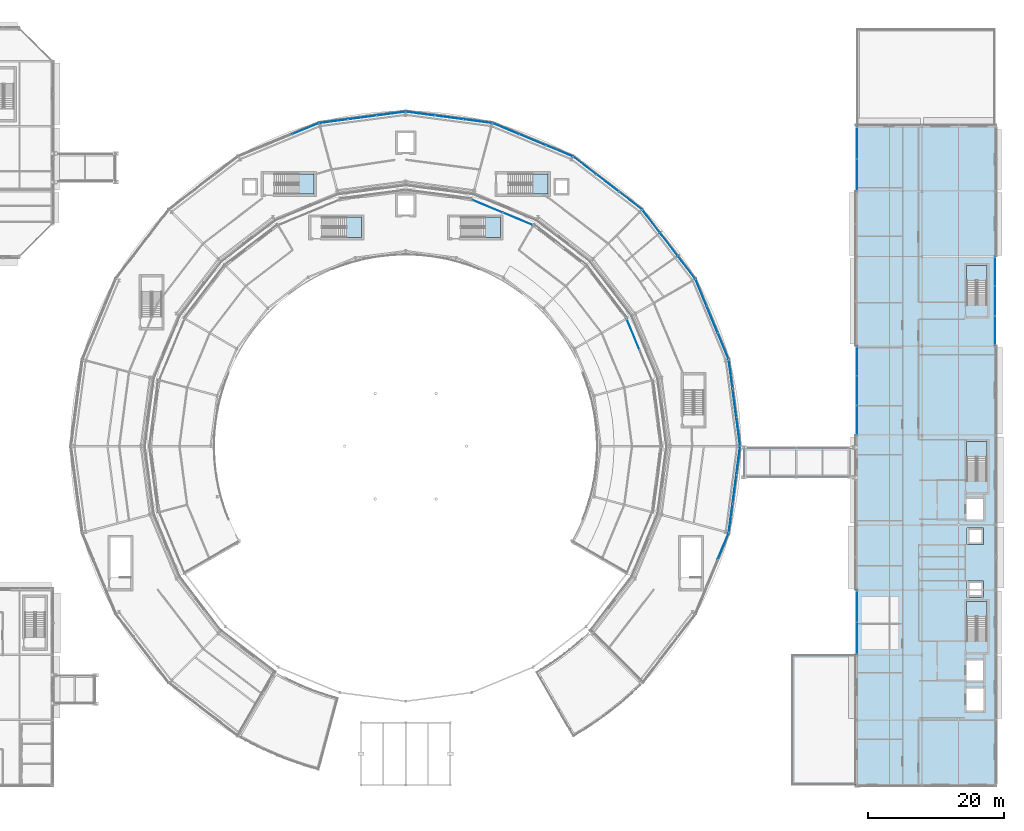
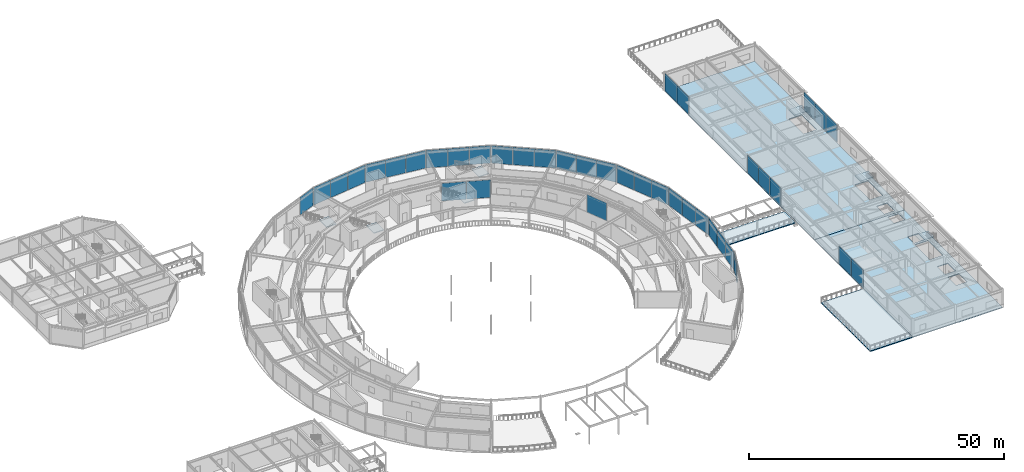
# One storey, part 112 of 157: 39 plates, 11 slabs, 23 elements without a shape of their own.
"""IFC4 building model written with IfcOpenShell, lengths in metres."""

import ifcopenshell
import ifcopenshell.guid

model = None  # the IFC model being written
_history = None  # IfcOwnerHistory: only IFC2X3 demands one
_inside = {}  # id of a spatial element -> (the spatial element, [elements in it])
_under = {}  # id of a project, library or spatial element -> (it, [spatial elements below it])
_declared = {}  # id of a project -> (the project, [libraries it declares])
_typed = {}  # id of a type object -> (the type object, [elements of that type])
_made_of = {}  # id of a material, layer set ... -> (it, [elements and type objects made of it])


def new_model(schema):
    """Start an empty IFC model of exactly this schema.

    Asked for "IFC4X3", IfcOpenShell would pick the latest addendum, in which some entities
    have other attributes; the version numbers below select the first issue.
    IFC2X3 requires an IfcOwnerHistory on every rooted entity: one is made here for all.
    """
    global model, _history
    if schema == "IFC4X3":
        model = ifcopenshell.file(schema_version=(4, 3, 0, 0))
    else:
        model = ifcopenshell.file(schema=schema)
    _inside.clear()
    _under.clear()
    _declared.clear()
    _typed.clear()
    _made_of.clear()
    _history = None
    if model.schema == "IFC2X3":
        org = make("IfcOrganization", Name="unknown")
        user = make(
            "IfcPersonAndOrganization",
            ThePerson=make("IfcPerson", FamilyName="unknown"),
            TheOrganization=org,
        )
        app = make(
            "IfcApplication",
            ApplicationDeveloper=org,
            Version="unknown",
            ApplicationFullName="unknown",
            ApplicationIdentifier="unknown",
        )
        _history = make(
            "IfcOwnerHistory",
            OwningUser=user,
            OwningApplication=app,
            ChangeAction="ADDED",
            CreationDate=0,
        )
    return model


def make(cls, **values):
    """One entity of the class cls with the attributes given. An attribute that is None is left unset."""
    return model.create_entity(
        cls, **{name: value for name, value in values.items() if value is not None}
    )


def rooted(cls, **values):
    """An entity with a GlobalId (a new one), such as an element, a storey or a relation."""
    return make(cls, GlobalId=ifcopenshell.guid.new(), OwnerHistory=_history, **values)


def si_unit(unit_type, name, prefix=None):
    """IfcSIUnit, for example si_unit("LENGTHUNIT", "METRE", prefix="MILLI")."""
    return make("IfcSIUnit", UnitType=unit_type, Prefix=prefix, Name=name)


def assignment(units):
    """IfcUnitAssignment: the units of a project."""
    return None if units is None else make("IfcUnitAssignment", Units=units)


def point(xyz):
    """IfcCartesianPoint."""
    return None if xyz is None else make("IfcCartesianPoint", Coordinates=xyz)


def direction(xyz):
    """IfcDirection."""
    return None if xyz is None else make("IfcDirection", DirectionRatios=xyz)


def frame(location, z_axis=None, x_axis=None):
    """IfcAxis2Placement3D, a coordinate frame: its origin and axes. An axis left out is left unset."""
    return make(
        "IfcAxis2Placement3D",
        Location=point(location),
        Axis=direction(z_axis),
        RefDirection=direction(x_axis),
    )


def frame_2d(location, x_axis=None):
    """IfcAxis2Placement2D, a coordinate frame in the plane: its origin and x axis."""
    return make(
        "IfcAxis2Placement2D", Location=point(location), RefDirection=direction(x_axis)
    )


def origin():
    """The frame at (0, 0, 0) with its axes left unset."""
    return frame((0.0, 0.0, 0.0))


def origin_2d():
    """The frame at (0, 0) in the plane with its x axis left unset."""
    return frame_2d((0.0, 0.0))


def place(relative_to, where):
    """IfcLocalPlacement: puts the frame where relative to a parent placement (None: the world)."""
    return make(
        "IfcLocalPlacement", PlacementRelTo=relative_to, RelativePlacement=where
    )


def context(
    kind, dimensions, precision=None, world=None, true_north=None, identifier=None
):
    """IfcGeometricRepresentationContext, for example the 3D "Model" context."""
    return make(
        "IfcGeometricRepresentationContext",
        ContextIdentifier=identifier,
        ContextType=kind,
        CoordinateSpaceDimension=dimensions,
        Precision=precision,
        WorldCoordinateSystem=world,
        TrueNorth=true_north,
    )


def subcontext(parent, identifier, kind, view, scale=None):
    """IfcGeometricRepresentationSubContext, for example "Body" below "Model"."""
    return make(
        "IfcGeometricRepresentationSubContext",
        ContextIdentifier=identifier,
        ContextType=kind,
        ParentContext=parent,
        TargetScale=scale,
        TargetView=view,
    )


def project(units=None, contexts=None):
    """IfcProject with its units and contexts."""
    return rooted(
        "IfcProject",
        Name="project",
        RepresentationContexts=contexts,
        UnitsInContext=assignment(units),
    )


def spatial(cls, under=None, at=None, **own):
    """A site, building, storey or space (cls), placed at a placement, below another one or the project."""
    s = rooted(cls, ObjectPlacement=at, **own)
    if under is not None:
        _under.setdefault(under.id(), (under, []))[1].append(s)
    return s


def polyline(points):
    """IfcPolyline through the points."""
    return make("IfcPolyline", Points=[point(p) for p in points])


def profile(cls, at=None, kind="AREA", **sizes):
    """A parametric profile (cls). Its sizes go by their IFC names, for example OverallWidth=200.0."""
    return make(cls, ProfileType=kind, Position=at, **sizes)


def rectangle(**sizes):
    """IfcRectangleProfileDef."""
    return profile("IfcRectangleProfileDef", **sizes)


def outline(outer, holes=None, kind="AREA"):
    """IfcArbitraryClosedProfileDef: a profile drawn as a closed curve; with holes, ...WithVoids."""
    if holes is None:
        return make("IfcArbitraryClosedProfileDef", ProfileType=kind, OuterCurve=outer)
    return make(
        "IfcArbitraryProfileDefWithVoids",
        ProfileType=kind,
        OuterCurve=outer,
        InnerCurves=holes,
    )


def extrude(swept, where, along, depth):
    """IfcExtrudedAreaSolid: the profile swept, set in the frame where, extruded along a direction by depth."""
    return make(
        "IfcExtrudedAreaSolid",
        SweptArea=swept,
        Position=where,
        ExtrudedDirection=direction(along),
        Depth=depth,
    )


def shape(context_of_items, identifier, shape_type, items):
    """IfcShapeRepresentation: the items that make up one representation, for example the "Body"."""
    return make(
        "IfcShapeRepresentation",
        ContextOfItems=context_of_items,
        RepresentationIdentifier=identifier,
        RepresentationType=shape_type,
        Items=items,
    )


def material(Name=None, Category=None):
    """IfcMaterial."""
    return make("IfcMaterial", Name=Name, Category=Category)


def layer(
    of_material, thickness, ventilated=None, Name=None, Category=None, Priority=None
):
    """IfcMaterialLayer: one layer of a wall or slab, of a material (None: an air gap)."""
    return make(
        "IfcMaterialLayer",
        Material=of_material,
        LayerThickness=thickness,
        IsVentilated=ventilated,
        Name=Name,
        Category=Category,
        Priority=Priority,
    )


def layer_set(layers, Name=None):
    """IfcMaterialLayerSet."""
    return make("IfcMaterialLayerSet", MaterialLayers=layers, LayerSetName=Name)


def made_of(thing, what):
    """Note that an element or type object is made of a material, layer set ...; save() writes the relation."""
    if what is not None:
        _made_of.setdefault(what.id(), (what, []))[1].append(thing)
    return thing


def type_object(cls, material=None, **own):
    """A type object (cls), such as IfcWallType, which elements share."""
    return made_of(rooted(cls, **own), material)


def element(
    cls,
    number,
    at=None,
    inside=None,
    cuts=None,
    type_object=None,
    material=None,
    context=None,
    identifier="Body",
    shape_type=None,
    held_by="IfcProductDefinitionShape",
    body=None,
    shapes=None,
    **own,
):
    """One element of the class cls, such as IfcWall. Its Tag is "e" and its number.

    at: its placement. inside: the storey or other place that contains it. cuts: it is an
    opening in that element (IfcRelVoidsElement). A single representation is given by context,
    identifier, shape_type and body (its items); several are given by shapes. held_by: the class
    of the entity that holds the representations. save() writes the other relations.
    """
    e = rooted(cls, Tag="e%d" % number, ObjectPlacement=at, **own)
    if body is not None:
        shapes = [shape(context, identifier, shape_type, body)]
    if shapes is not None:
        e.Representation = make(held_by, Representations=shapes)
    if inside is not None:
        _inside.setdefault(inside.id(), (inside, []))[1].append(e)
    if cuts is not None:
        rooted(
            "IfcRelVoidsElement", RelatingBuildingElement=cuts, RelatedOpeningElement=e
        )
    if type_object is not None:
        _typed.setdefault(type_object.id(), (type_object, []))[1].append(e)
    return made_of(e, material)


def aggregate(whole, parts):
    """IfcRelAggregates: a whole, such as a stair, and the parts it consists of."""
    return rooted("IfcRelAggregates", RelatingObject=whole, RelatedObjects=parts)


def save(model, path):
    """Write the relations noted so far, then the file.

    IfcRelAggregates (storeys below a building ...), IfcRelContainedInSpatialStructure (elements
    in a storey), IfcRelDefinesByType, IfcRelAssociatesMaterial and IfcRelDeclares: one each for
    every whole, place, type object, material and project.
    """
    for whole, parts in _under.values():
        aggregate(whole, parts)
    for where, things in _inside.values():
        rooted(
            "IfcRelContainedInSpatialStructure",
            RelatedElements=things,
            RelatingStructure=where,
        )
    for kind, things in _typed.values():
        rooted("IfcRelDefinesByType", RelatedObjects=things, RelatingType=kind)
    for what, things in _made_of.values():
        rooted("IfcRelAssociatesMaterial", RelatedObjects=things, RelatingMaterial=what)
    for by, libraries in _declared.values():
        rooted("IfcRelDeclares", RelatingContext=by, RelatedDefinitions=libraries)
    model.write(path)


model = new_model("IFC4")

# Units and contexts
model_context = context("Model", 3, precision=1e-05, world=origin(), true_north=direction((0.0, 1.0)))
body_context = subcontext(model_context, "Body", "Model", "MODEL_VIEW")
ifc_project = project(units=[si_unit("LENGTHUNIT", "METRE"), si_unit("AREAUNIT", "SQUARE_METRE"), si_unit("VOLUMEUNIT", "CUBIC_METRE"), si_unit("PLANEANGLEUNIT", "RADIAN"), si_unit("MASSUNIT", "GRAM", prefix="KILO")], contexts=[model_context])

# Site, building, storey
site_placement = place(None, origin())
site = spatial("IfcSite", under=ifc_project, at=site_placement, CompositionType="ELEMENT")
building_placement = place(site_placement, origin())
building = spatial("IfcBuilding", under=site, at=building_placement, Name="Almandine Court Research Institute", CompositionType="ELEMENT")
storey_placement = place(building_placement, frame((0.0, 0.0, 5.25)))
storey = spatial("IfcBuildingStorey", under=building, at=storey_placement, Name="L01", CompositionType="ELEMENT", Elevation=5.25)

# Curtain wall, plates
ifc_material_1 = material(Name="Unitised Curtain Wall Framing and Solar Glazing", Category="glass")
curtain_wall_type_1 = type_object("IfcCurtainWallType", Name="CW-CWG-20", PredefinedType="USERDEFINED", material=ifc_material_1)
curtain_wall_1_placement = place(storey_placement, origin())
curtain_wall_1 = element("IfcCurtainWall", 1, at=curtain_wall_1_placement, inside=storey, type_object=curtain_wall_type_1, Name="L01 Stacked-Ring Drum Outer Unitised Glazing 04", ObjectType="UNITISED GLAZING", PredefinedType="USERDEFINED")
ifc_material_2 = material(Name="Double-Glazed Low-E Argon Insulated Glass", Category="glass")
ifc_layer_1 = layer(ifc_material_2, 0.028076171875)
ifc_layer_set_1 = layer_set([ifc_layer_1], Name="Double-Glazed Low-E Argon Insulated Glass")
plate_type_1 = type_object("IfcPlateType", Name="CWPnl-GLZ-28", PredefinedType="CURTAIN_PANEL", material=ifc_layer_set_1)
plate_1_placement = place(storey_placement, frame((101.77587890625, 102.849853515625, 0.06005859375), z_axis=(0.0, 0.0, 1.0), x_axis=(0.923888124321, -0.382662689242, 0.0)))
plate_1 = element("IfcPlate", 2, at=plate_1_placement, type_object=plate_type_1, Name="CWG-20 panel 1.1", PredefinedType="CURTAIN_PANEL", context=body_context, shape_type="SweptSolid", body=[
    extrude(rectangle(XDim=4.20263671875, YDim=0.028076171875, at=origin_2d()), origin(), (0.0, 0.0, 1.0), 4.25),
])
plate_2_placement = place(storey_placement, frame((105.72802734375, 101.212890625, 0.06005859375), z_axis=(0.0, 0.0, 1.0), x_axis=(0.923888124321, -0.382662689242, 0.0)))
plate_2 = element("IfcPlate", 3, at=plate_2_placement, type_object=plate_type_1, Name="CWG-20 panel 2.1", PredefinedType="CURTAIN_PANEL", context=body_context, shape_type="SweptSolid", body=[
    extrude(rectangle(XDim=4.232666015625, YDim=0.028076171875, at=origin_2d()), origin(), (0.0, 0.0, 1.0), 4.25),
])
plate_3_placement = place(storey_placement, frame((109.68017578125, 99.576171875, 0.06005859375), z_axis=(0.0, 0.0, 1.0), x_axis=(0.923888124321, -0.382662689242, 0.0)))
plate_3 = element("IfcPlate", 4, at=plate_3_placement, type_object=plate_type_1, Name="CWG-20 panel 3.1", PredefinedType="CURTAIN_PANEL", context=body_context, shape_type="SweptSolid", body=[
    extrude(rectangle(XDim=4.20263671875, YDim=0.028076171875, at=origin_2d()), origin(), (0.0, 0.0, 1.0), 4.25),
])
aggregate(curtain_wall_1, [plate_1, plate_2, plate_3])

curtain_wall_2_placement = place(storey_placement, origin())
curtain_wall_2 = element("IfcCurtainWall", 5, at=curtain_wall_2_placement, inside=storey, type_object=curtain_wall_type_1, Name="L01 Stacked-Ring Drum Outer Unitised Glazing 05", ObjectType="UNITISED GLAZING", PredefinedType="USERDEFINED")
plate_4_placement = place(storey_placement, frame((89.146728515625, 105.077880859375, 0.06005859375), z_axis=(0.0, 0.0, 1.0), x_axis=(0.991442926098, -0.130540891259, 0.0)))
plate_4 = element("IfcPlate", 6, at=plate_4_placement, type_object=plate_type_1, Name="CWG-20 panel 1.1", PredefinedType="CURTAIN_PANEL", context=body_context, shape_type="SweptSolid", body=[
    extrude(rectangle(XDim=4.202392578125, YDim=0.028076171875, at=origin_2d()), origin(), (0.0, 0.0, 1.0), 4.25),
])
plate_5_placement = place(storey_placement, frame((93.387451171875, 104.51953125, 0.06005859375), z_axis=(0.0, 0.0, 1.0), x_axis=(0.991442926098, -0.130540891259, 0.0)))
plate_5 = element("IfcPlate", 7, at=plate_5_placement, type_object=plate_type_1, Name="CWG-20 panel 2.1", PredefinedType="CURTAIN_PANEL", context=body_context, shape_type="SweptSolid", body=[
    extrude(rectangle(XDim=4.232421875, YDim=0.028076171875, at=origin_2d()), origin(), (0.0, 0.0, 1.0), 4.25),
])
plate_6_placement = place(storey_placement, frame((97.628173828125, 103.961181640625, 0.06005859375), z_axis=(0.0, 0.0, 1.0), x_axis=(0.991442926098, -0.130540891259, 0.0)))
plate_6 = element("IfcPlate", 8, at=plate_6_placement, type_object=plate_type_1, Name="CWG-20 panel 3.1", PredefinedType="CURTAIN_PANEL", context=body_context, shape_type="SweptSolid", body=[
    extrude(rectangle(XDim=4.202392578125, YDim=0.028076171875, at=origin_2d()), origin(), (0.0, 0.0, 1.0), 4.25),
])
aggregate(curtain_wall_2, [plate_4, plate_5, plate_6])

curtain_wall_3_placement = place(storey_placement, origin())
curtain_wall_3 = element("IfcCurtainWall", 9, at=curtain_wall_3_placement, inside=storey, type_object=curtain_wall_type_1, Name="L01 Stacked-Ring Drum Outer Unitised Glazing 06", ObjectType="UNITISED GLAZING", PredefinedType="USERDEFINED")
plate_7_placement = place(storey_placement, frame((76.371826171875, 103.961181640625, 0.06005859375), z_axis=(0.0, 0.0, 1.0), x_axis=(0.991442926098, 0.130540891259, 0.0)))
plate_7 = element("IfcPlate", 10, at=plate_7_placement, type_object=plate_type_1, Name="CWG-20 panel 1.1", PredefinedType="CURTAIN_PANEL", context=body_context, shape_type="SweptSolid", body=[
    extrude(rectangle(XDim=4.202392578125, YDim=0.028076171875, at=origin_2d()), origin(), (0.0, 0.0, 1.0), 4.25),
])
plate_8_placement = place(storey_placement, frame((80.612548828125, 104.51953125, 0.06005859375), z_axis=(0.0, 0.0, 1.0), x_axis=(0.991442926098, 0.130540891259, 0.0)))
plate_8 = element("IfcPlate", 11, at=plate_8_placement, type_object=plate_type_1, Name="CWG-20 panel 2.1", PredefinedType="CURTAIN_PANEL", context=body_context, shape_type="SweptSolid", body=[
    extrude(rectangle(XDim=4.232421875, YDim=0.028076171875, at=origin_2d()), origin(), (0.0, 0.0, 1.0), 4.25),
])
plate_9_placement = place(storey_placement, frame((84.853271484375, 105.077880859375, 0.06005859375), z_axis=(0.0, 0.0, 1.0), x_axis=(0.991442926098, 0.130540891259, 0.0)))
plate_9 = element("IfcPlate", 12, at=plate_9_placement, type_object=plate_type_1, Name="CWG-20 panel 3.1", PredefinedType="CURTAIN_PANEL", context=body_context, shape_type="SweptSolid", body=[
    extrude(rectangle(XDim=4.202392578125, YDim=0.028076171875, at=origin_2d()), origin(), (0.0, 0.0, 1.0), 4.25),
])
aggregate(curtain_wall_3, [plate_7, plate_8, plate_9])

# Curtain wall, plate
curtain_wall_4_placement = place(storey_placement, origin())
curtain_wall_4 = element("IfcCurtainWall", 13, at=curtain_wall_4_placement, inside=storey, type_object=curtain_wall_type_1, Name="L01 Stacked-Ring Drum Outer Unitised Glazing 07", ObjectType="UNITISED GLAZING", PredefinedType="USERDEFINED")
plate_10_placement = place(storey_placement, frame((72.22412109375, 102.849853515625, 0.06005859375), z_axis=(0.0, 0.0, 1.0), x_axis=(0.923888124321, 0.382662689242, 0.0)))
plate_10 = element("IfcPlate", 14, at=plate_10_placement, type_object=plate_type_1, Name="CWG-20 panel 3.1", PredefinedType="CURTAIN_PANEL", context=body_context, shape_type="SweptSolid", body=[
    extrude(rectangle(XDim=4.20263671875, YDim=0.028076171875, at=origin_2d()), origin(), (0.0, 0.0, 1.0), 4.25),
])
aggregate(curtain_wall_4, [plate_10])

curtain_wall_type_2 = type_object("IfcCurtainWallType", Name="CW-CWG-24", PredefinedType="USERDEFINED", material=ifc_material_1)
curtain_wall_5_placement = place(storey_placement, origin())
curtain_wall_5 = element("IfcCurtainWall", 15, at=curtain_wall_5_placement, inside=storey, type_object=curtain_wall_type_2, Name="L01 Interaction Atrium Perimeter Curtain Wall 01", ObjectType="UNITISED GLAZING", PredefinedType="USERDEFINED")
plate_11_placement = place(storey_placement, frame((120.55322265625, 72.53955078125, 0.06005859375), z_axis=(0.0, 0.0, 1.0), x_axis=(0.382633558665, -0.923900189297, 0.0)))
plate_11 = element("IfcPlate", 16, at=plate_11_placement, type_object=plate_type_1, Name="CWG-24 panel 1.1", PredefinedType="CURTAIN_PANEL", context=body_context, shape_type="SweptSolid", body=[
    extrude(rectangle(XDim=4.82080078125, YDim=0.028076171875, at=origin_2d()), origin(), (0.0, 0.0, 1.0), 4.25),
])
aggregate(curtain_wall_5, [plate_11])

# Curtain wall, plates
curtain_wall_6_placement = place(storey_placement, origin())
curtain_wall_6 = element("IfcCurtainWall", 17, at=curtain_wall_6_placement, inside=storey, type_object=curtain_wall_type_2, Name="L01 Interaction Atrium Perimeter Curtain Wall 04", ObjectType="UNITISED GLAZING", PredefinedType="USERDEFINED")
plate_12_placement = place(storey_placement, frame((99.0302734375, 91.420654296875, 0.06005859375), z_axis=(0.0, 0.0, 1.0), x_axis=(0.923900189297, -0.382633558665, 0.0)))
plate_12 = element("IfcPlate", 18, at=plate_12_placement, type_object=plate_type_1, Name="CWG-24 panel 1.1", PredefinedType="CURTAIN_PANEL", context=body_context, shape_type="SweptSolid", body=[
    extrude(rectangle(XDim=4.82080078125, YDim=0.028076171875, at=origin_2d()), origin(), (0.0, 0.0, 1.0), 4.25),
])
plate_13_placement = place(storey_placement, frame((103.53955078125, 89.55322265625, 0.06005859375), z_axis=(0.0, 0.0, 1.0), x_axis=(0.923900189297, -0.382633558665, 0.0)))
plate_13 = element("IfcPlate", 19, at=plate_13_placement, type_object=plate_type_1, Name="CWG-24 panel 2.1", PredefinedType="CURTAIN_PANEL", context=body_context, shape_type="SweptSolid", body=[
    extrude(rectangle(XDim=4.82080078125, YDim=0.028076171875, at=origin_2d()), origin(), (0.0, 0.0, 1.0), 4.25),
])
aggregate(curtain_wall_6, [plate_12, plate_13])

curtain_wall_type_3 = type_object("IfcCurtainWallType", Name="CW-CWJ-02", PredefinedType="USERDEFINED", material=ifc_material_1)
curtain_wall_7_placement = place(storey_placement, origin())
curtain_wall_7 = element("IfcCurtainWall", 20, at=curtain_wall_7_placement, inside=storey, type_object=curtain_wall_type_3, Name="L01 Wet Lab West Courtyard Jali Curtain Wall 3", ObjectType="SOLAR JALI SCREEN", PredefinedType="USERDEFINED")
ifc_material_3 = material(Name="Perforated Ochre Terracotta Jali Solar Cassette", Category="masonry")
ifc_layer_2 = layer(ifc_material_3, 0.035888671875)
ifc_layer_set_2 = layer_set([ifc_layer_2], Name="Perforated Ochre Terracotta Jali Solar Cassette")
plate_type_2 = type_object("IfcPlateType", Name="CWPnl-JALI-36", PredefinedType="CURTAIN_PANEL", material=ifc_layer_set_2)
plate_14_placement = place(storey_placement, frame((153.60009765625, 27.6181640625, 0.06494140625), z_axis=(0.0, 0.0, 1.0), x_axis=(0.0, 1.0, 0.0)))
plate_14 = element("IfcPlate", 21, at=plate_14_placement, type_object=plate_type_2, Name="CWJ-02 panel 1.1", PredefinedType="CURTAIN_PANEL", context=body_context, shape_type="SweptSolid", body=[
    extrude(rectangle(XDim=4.698486328125, YDim=0.035888671875, at=origin_2d()), origin(), (0.0, 0.0, 1.0), 4.239990234375),
])
plate_15_placement = place(storey_placement, frame((153.60009765625, 32.3818359375, 0.06494140625), z_axis=(0.0, 0.0, 1.0), x_axis=(0.0, 1.0, 0.0)))
plate_15 = element("IfcPlate", 22, at=plate_15_placement, type_object=plate_type_2, Name="CWJ-02 panel 2.1", PredefinedType="CURTAIN_PANEL", context=body_context, shape_type="SweptSolid", body=[
    extrude(rectangle(XDim=4.698486328125, YDim=0.035888671875, at=origin_2d()), origin(), (0.0, 0.0, 1.0), 4.239990234375),
])
aggregate(curtain_wall_7, [plate_14, plate_15])

curtain_wall_type_4 = type_object("IfcCurtainWallType", Name="CW-CWJ-15", PredefinedType="USERDEFINED", material=ifc_material_1)
curtain_wall_8_placement = place(storey_placement, origin())
curtain_wall_8 = element("IfcCurtainWall", 23, at=curtain_wall_8_placement, inside=storey, type_object=curtain_wall_type_4, Name="L01 Wet Lab West Courtyard Jali Curtain Wall 6", ObjectType="SOLAR JALI SCREEN", PredefinedType="USERDEFINED")
plate_16_placement = place(storey_placement, frame((153.60009765625, 59.81884765625, 0.06494140625), z_axis=(0.0, 0.0, 1.0), x_axis=(0.0, 1.0, 0.0)))
plate_16 = element("IfcPlate", 24, at=plate_16_placement, type_object=plate_type_2, Name="CWJ-15 panel 1.1", PredefinedType="CURTAIN_PANEL", context=body_context, shape_type="SweptSolid", body=[
    extrude(rectangle(XDim=4.2998046875, YDim=0.035888671875, at=origin_2d()), origin(), (0.0, 0.0, 1.0), 4.239990234375),
])
plate_17_placement = place(storey_placement, frame((153.60009765625, 64.199951171875, 0.06494140625), z_axis=(0.0, 0.0, 1.0), x_axis=(0.0, 1.0, 0.0)))
plate_17 = element("IfcPlate", 25, at=plate_17_placement, type_object=plate_type_2, Name="CWJ-15 panel 2.1", PredefinedType="CURTAIN_PANEL", context=body_context, shape_type="SweptSolid", body=[
    extrude(rectangle(XDim=4.332275390625, YDim=0.035888671875, at=origin_2d()), origin(), (0.0, 0.0, 1.0), 4.239990234375),
])
plate_18_placement = place(storey_placement, frame((153.60009765625, 68.5810546875, 0.06494140625), z_axis=(0.0, 0.0, 1.0), x_axis=(0.0, 1.0, 0.0)))
plate_18 = element("IfcPlate", 26, at=plate_18_placement, type_object=plate_type_2, Name="CWJ-15 panel 3.1", PredefinedType="CURTAIN_PANEL", context=body_context, shape_type="SweptSolid", body=[
    extrude(rectangle(XDim=4.2998046875, YDim=0.035888671875, at=origin_2d()), origin(), (0.0, 0.0, 1.0), 4.239990234375),
])
aggregate(curtain_wall_8, [plate_16, plate_17, plate_18])

curtain_wall_9_placement = place(storey_placement, origin())
curtain_wall_9 = element("IfcCurtainWall", 27, at=curtain_wall_9_placement, inside=storey, type_object=curtain_wall_type_3, Name="L01 Wet Lab West Courtyard Jali Curtain Wall 9", ObjectType="SOLAR JALI SCREEN", PredefinedType="USERDEFINED")
plate_19_placement = place(storey_placement, frame((153.60009765625, 96.018310546875, 0.06494140625), z_axis=(0.0, 0.0, 1.0), x_axis=(0.0, 1.0, 0.0)))
plate_19 = element("IfcPlate", 28, at=plate_19_placement, type_object=plate_type_2, Name="CWJ-02 panel 1.1", PredefinedType="CURTAIN_PANEL", context=body_context, shape_type="SweptSolid", body=[
    extrude(rectangle(XDim=4.698486328125, YDim=0.035888671875, at=origin_2d()), origin(), (0.0, 0.0, 1.0), 4.239990234375),
])
plate_20_placement = place(storey_placement, frame((153.60009765625, 100.78173828125, 0.06494140625), z_axis=(0.0, 0.0, 1.0), x_axis=(0.0, 1.0, 0.0)))
plate_20 = element("IfcPlate", 29, at=plate_20_placement, type_object=plate_type_2, Name="CWJ-02 panel 2.1", PredefinedType="CURTAIN_PANEL", context=body_context, shape_type="SweptSolid", body=[
    extrude(rectangle(XDim=4.698486328125, YDim=0.035888671875, at=origin_2d()), origin(), (0.0, 0.0, 1.0), 4.239990234375),
])
aggregate(curtain_wall_9, [plate_19, plate_20])

curtain_wall_10_placement = place(storey_placement, origin())
curtain_wall_10 = element("IfcCurtainWall", 30, at=curtain_wall_10_placement, inside=storey, type_object=curtain_wall_type_4, Name="L01 Wet Lab East Jali Curtain Wall 7", ObjectType="SOLAR JALI SCREEN", PredefinedType="USERDEFINED")
plate_21_placement = place(storey_placement, frame((174.0, 81.781005859375, 0.06494140625), z_axis=(0.0, 0.0, 1.0), x_axis=(0.0, -1.0, 0.0)))
plate_21 = element("IfcPlate", 31, at=plate_21_placement, type_object=plate_type_2, Name="CWJ-15 panel 1.1", PredefinedType="CURTAIN_PANEL", context=body_context, shape_type="SweptSolid", body=[
    extrude(rectangle(XDim=4.2998046875, YDim=0.035888671875, at=origin_2d()), origin(), (0.0, 0.0, 1.0), 4.239990234375),
])
plate_22_placement = place(storey_placement, frame((174.0, 77.39990234375, 0.06494140625), z_axis=(0.0, 0.0, 1.0), x_axis=(0.0, -1.0, 0.0)))
plate_22 = element("IfcPlate", 32, at=plate_22_placement, type_object=plate_type_2, Name="CWJ-15 panel 2.1", PredefinedType="CURTAIN_PANEL", context=body_context, shape_type="SweptSolid", body=[
    extrude(rectangle(XDim=4.332275390625, YDim=0.035888671875, at=origin_2d()), origin(), (0.0, 0.0, 1.0), 4.239990234375),
])
plate_23_placement = place(storey_placement, frame((174.0, 73.018798828125, 0.06494140625), z_axis=(0.0, 0.0, 1.0), x_axis=(0.0, -1.0, 0.0)))
plate_23 = element("IfcPlate", 33, at=plate_23_placement, type_object=plate_type_2, Name="CWJ-15 panel 3.1", PredefinedType="CURTAIN_PANEL", context=body_context, shape_type="SweptSolid", body=[
    extrude(rectangle(XDim=4.2998046875, YDim=0.035888671875, at=origin_2d()), origin(), (0.0, 0.0, 1.0), 4.239990234375),
])
aggregate(curtain_wall_10, [plate_21, plate_22, plate_23])

# Curtain wall, plate
curtain_wall_type_5 = type_object("IfcCurtainWallType", Name="CW-CWJ-19", PredefinedType="USERDEFINED", material=ifc_material_1)
curtain_wall_11_placement = place(storey_placement, origin())
curtain_wall_11 = element("IfcCurtainWall", 34, at=curtain_wall_11_placement, inside=storey, type_object=curtain_wall_type_5, Name="L01 Stacked-Ring Drum Outer Solar Jali Screen 22", ObjectType="SOLAR JALI SCREEN", PredefinedType="USERDEFINED")
plate_24_placement = place(storey_placement, frame((133.849365234375, 41.222900390625, 0.06494140625), z_axis=(0.0, 0.0, 1.0), x_axis=(-0.382662689242, -0.923888124321, 0.0)))
plate_24 = element("IfcPlate", 35, at=plate_24_placement, type_object=plate_type_2, Name="CWJ-19 panel 1.1", PredefinedType="CURTAIN_PANEL", context=body_context, shape_type="SweptSolid", body=[
    extrude(rectangle(XDim=4.1953125, YDim=0.035888671875, at=origin_2d()), origin(), (0.0, 0.0, 1.0), 4.239990234375),
])
aggregate(curtain_wall_11, [plate_24])

# Curtain wall, plates
curtain_wall_12_placement = place(storey_placement, origin())
curtain_wall_12 = element("IfcCurtainWall", 36, at=curtain_wall_12_placement, inside=storey, type_object=curtain_wall_type_5, Name="L01 Stacked-Ring Drum Outer Solar Jali Screen 23", ObjectType="SOLAR JALI SCREEN", PredefinedType="USERDEFINED")
plate_25_placement = place(storey_placement, frame((136.07763671875, 53.85205078125, 0.06494140625), z_axis=(0.0, 0.0, 1.0), x_axis=(-0.130540891259, -0.991442926098, 0.0)))
plate_25 = element("IfcPlate", 37, at=plate_25_placement, type_object=plate_type_2, Name="CWJ-19 panel 1.1", PredefinedType="CURTAIN_PANEL", context=body_context, shape_type="SweptSolid", body=[
    extrude(rectangle(XDim=4.19482421875, YDim=0.035888671875, at=origin_2d()), origin(), (0.0, 0.0, 1.0), 4.239990234375),
])
plate_26_placement = place(storey_placement, frame((135.51953125, 49.612548828125, 0.06494140625), z_axis=(0.0, 0.0, 1.0), x_axis=(-0.130540891259, -0.991442926098, 0.0)))
plate_26 = element("IfcPlate", 38, at=plate_26_placement, type_object=plate_type_2, Name="CWJ-19 panel 2.1", PredefinedType="CURTAIN_PANEL", context=body_context, shape_type="SweptSolid", body=[
    extrude(rectangle(XDim=4.227294921875, YDim=0.035888671875, at=origin_2d()), origin(), (0.0, 0.0, 1.0), 4.239990234375),
])
plate_27_placement = place(storey_placement, frame((134.961181640625, 45.373046875, 0.06494140625), z_axis=(0.0, 0.0, 1.0), x_axis=(-0.130540891259, -0.991442926098, 0.0)))
plate_27 = element("IfcPlate", 39, at=plate_27_placement, type_object=plate_type_2, Name="CWJ-19 panel 3.1", PredefinedType="CURTAIN_PANEL", context=body_context, shape_type="SweptSolid", body=[
    extrude(rectangle(XDim=4.19482421875, YDim=0.035888671875, at=origin_2d()), origin(), (0.0, 0.0, 1.0), 4.239990234375),
])
aggregate(curtain_wall_12, [plate_25, plate_26, plate_27])

curtain_wall_13_placement = place(storey_placement, origin())
curtain_wall_13 = element("IfcCurtainWall", 40, at=curtain_wall_13_placement, inside=storey, type_object=curtain_wall_type_5, Name="L01 Stacked-Ring Drum Outer Solar Jali Screen 00", ObjectType="SOLAR JALI SCREEN", PredefinedType="USERDEFINED")
plate_28_placement = place(storey_placement, frame((134.961181640625, 66.626953125, 0.06494140625), z_axis=(0.0, 0.0, 1.0), x_axis=(0.130540891259, -0.991442926098, 0.0)))
plate_28 = element("IfcPlate", 41, at=plate_28_placement, type_object=plate_type_2, Name="CWJ-19 panel 1.1", PredefinedType="CURTAIN_PANEL", context=body_context, shape_type="SweptSolid", body=[
    extrude(rectangle(XDim=4.19482421875, YDim=0.035888671875, at=origin_2d()), origin(), (0.0, 0.0, 1.0), 4.239990234375),
])
plate_29_placement = place(storey_placement, frame((135.51953125, 62.387451171875, 0.06494140625), z_axis=(0.0, 0.0, 1.0), x_axis=(0.130540891259, -0.991442926098, 0.0)))
plate_29 = element("IfcPlate", 42, at=plate_29_placement, type_object=plate_type_2, Name="CWJ-19 panel 2.1", PredefinedType="CURTAIN_PANEL", context=body_context, shape_type="SweptSolid", body=[
    extrude(rectangle(XDim=4.227294921875, YDim=0.035888671875, at=origin_2d()), origin(), (0.0, 0.0, 1.0), 4.239990234375),
])
plate_30_placement = place(storey_placement, frame((136.07763671875, 58.14794921875, 0.06494140625), z_axis=(0.0, 0.0, 1.0), x_axis=(0.130540891259, -0.991442926098, 0.0)))
plate_30 = element("IfcPlate", 43, at=plate_30_placement, type_object=plate_type_2, Name="CWJ-19 panel 3.1", PredefinedType="CURTAIN_PANEL", context=body_context, shape_type="SweptSolid", body=[
    extrude(rectangle(XDim=4.19482421875, YDim=0.035888671875, at=origin_2d()), origin(), (0.0, 0.0, 1.0), 4.239990234375),
])
aggregate(curtain_wall_13, [plate_28, plate_29, plate_30])

curtain_wall_14_placement = place(storey_placement, origin())
curtain_wall_14 = element("IfcCurtainWall", 44, at=curtain_wall_14_placement, inside=storey, type_object=curtain_wall_type_5, Name="L01 Stacked-Ring Drum Outer Solar Jali Screen 01", ObjectType="SOLAR JALI SCREEN", PredefinedType="USERDEFINED")
plate_31_placement = place(storey_placement, frame((130.57666015625, 78.678955078125, 0.06494140625), z_axis=(0.0, 0.0, 1.0), x_axis=(0.382662689242, -0.923888124321, 0.0)))
plate_31 = element("IfcPlate", 45, at=plate_31_placement, type_object=plate_type_2, Name="CWJ-19 panel 1.1", PredefinedType="CURTAIN_PANEL", context=body_context, shape_type="SweptSolid", body=[
    extrude(rectangle(XDim=4.1953125, YDim=0.035888671875, at=origin_2d()), origin(), (0.0, 0.0, 1.0), 4.239990234375),
])
plate_32_placement = place(storey_placement, frame((132.212890625, 74.72802734375, 0.06494140625), z_axis=(0.0, 0.0, 1.0), x_axis=(0.382662689242, -0.923888124321, 0.0)))
plate_32 = element("IfcPlate", 46, at=plate_32_placement, type_object=plate_type_2, Name="CWJ-19 panel 2.1", PredefinedType="CURTAIN_PANEL", context=body_context, shape_type="SweptSolid", body=[
    extrude(rectangle(XDim=4.227783203125, YDim=0.035888671875, at=origin_2d()), origin(), (0.0, 0.0, 1.0), 4.239990234375),
])
plate_33_placement = place(storey_placement, frame((133.849365234375, 70.777099609375, 0.06494140625), z_axis=(0.0, 0.0, 1.0), x_axis=(0.382662689242, -0.923888124321, 0.0)))
plate_33 = element("IfcPlate", 47, at=plate_33_placement, type_object=plate_type_2, Name="CWJ-19 panel 3.1", PredefinedType="CURTAIN_PANEL", context=body_context, shape_type="SweptSolid", body=[
    extrude(rectangle(XDim=4.1953125, YDim=0.035888671875, at=origin_2d()), origin(), (0.0, 0.0, 1.0), 4.239990234375),
])
aggregate(curtain_wall_14, [plate_31, plate_32, plate_33])

curtain_wall_15_placement = place(storey_placement, origin())
curtain_wall_15 = element("IfcCurtainWall", 48, at=curtain_wall_15_placement, inside=storey, type_object=curtain_wall_type_5, Name="L01 Stacked-Ring Drum Outer Solar Jali Screen 02", ObjectType="SOLAR JALI SCREEN", PredefinedType="USERDEFINED")
plate_34_placement = place(storey_placement, frame((123.222412109375, 89.184326171875, 0.06494140625), z_axis=(0.0, 0.0, 1.0), x_axis=(0.608723313303, -0.793382586046, 0.0)))
plate_34 = element("IfcPlate", 49, at=plate_34_placement, type_object=plate_type_2, Name="CWJ-19 panel 1.1", PredefinedType="CURTAIN_PANEL", context=body_context, shape_type="SweptSolid", body=[
    extrude(rectangle(XDim=4.195068359375, YDim=0.035888671875, at=origin_2d()), origin(), (0.0, 0.0, 1.0), 4.239990234375),
])
plate_35_placement = place(storey_placement, frame((125.825439453125, 85.79150390625, 0.06494140625), z_axis=(0.0, 0.0, 1.0), x_axis=(0.608723313303, -0.793382586046, 0.0)))
plate_35 = element("IfcPlate", 50, at=plate_35_placement, type_object=plate_type_2, Name="CWJ-19 panel 2.1", PredefinedType="CURTAIN_PANEL", context=body_context, shape_type="SweptSolid", body=[
    extrude(rectangle(XDim=4.2275390625, YDim=0.035888671875, at=origin_2d()), origin(), (0.0, 0.0, 1.0), 4.239990234375),
])
plate_36_placement = place(storey_placement, frame((128.4287109375, 82.398681640625, 0.06494140625), z_axis=(0.0, 0.0, 1.0), x_axis=(0.608723313303, -0.793382586046, 0.0)))
plate_36 = element("IfcPlate", 51, at=plate_36_placement, type_object=plate_type_2, Name="CWJ-19 panel 3.1", PredefinedType="CURTAIN_PANEL", context=body_context, shape_type="SweptSolid", body=[
    extrude(rectangle(XDim=4.195068359375, YDim=0.035888671875, at=origin_2d()), origin(), (0.0, 0.0, 1.0), 4.239990234375),
])
aggregate(curtain_wall_15, [plate_34, plate_35, plate_36])

curtain_wall_16_placement = place(storey_placement, origin())
curtain_wall_16 = element("IfcCurtainWall", 52, at=curtain_wall_16_placement, inside=storey, type_object=curtain_wall_type_5, Name="L01 Stacked-Ring Drum Outer Solar Jali Screen 03", ObjectType="SOLAR JALI SCREEN", PredefinedType="USERDEFINED")
plate_37_placement = place(storey_placement, frame((113.398681640625, 97.4287109375, 0.06494140625), z_axis=(0.0, 0.0, 1.0), x_axis=(0.793382586046, -0.608723313303, 0.0)))
plate_37 = element("IfcPlate", 53, at=plate_37_placement, type_object=plate_type_2, Name="CWJ-19 panel 1.1", PredefinedType="CURTAIN_PANEL", context=body_context, shape_type="SweptSolid", body=[
    extrude(rectangle(XDim=4.195068359375, YDim=0.035888671875, at=origin_2d()), origin(), (0.0, 0.0, 1.0), 4.239990234375),
])
plate_38_placement = place(storey_placement, frame((116.79150390625, 94.825439453125, 0.06494140625), z_axis=(0.0, 0.0, 1.0), x_axis=(0.793382586046, -0.608723313303, 0.0)))
plate_38 = element("IfcPlate", 54, at=plate_38_placement, type_object=plate_type_2, Name="CWJ-19 panel 2.1", PredefinedType="CURTAIN_PANEL", context=body_context, shape_type="SweptSolid", body=[
    extrude(rectangle(XDim=4.2275390625, YDim=0.035888671875, at=origin_2d()), origin(), (0.0, 0.0, 1.0), 4.239990234375),
])
plate_39_placement = place(storey_placement, frame((120.184326171875, 92.222412109375, 0.06494140625), z_axis=(0.0, 0.0, 1.0), x_axis=(0.793382586046, -0.608723313303, 0.0)))
plate_39 = element("IfcPlate", 55, at=plate_39_placement, type_object=plate_type_2, Name="CWJ-19 panel 3.1", PredefinedType="CURTAIN_PANEL", context=body_context, shape_type="SweptSolid", body=[
    extrude(rectangle(XDim=4.195068359375, YDim=0.035888671875, at=origin_2d()), origin(), (0.0, 0.0, 1.0), 4.239990234375),
])
aggregate(curtain_wall_16, [plate_37, plate_38, plate_39])

# Slabs
ifc_material_4 = material(Name="Concrete C35/45", Category="concrete")
ifc_layer_3 = layer(ifc_material_4, 0.179931640625)
ifc_layer_set_3 = layer_set([ifc_layer_3], Name="Concrete C35/45")
slab_type_1 = type_object("IfcSlabType", Name="Slab-FLR-180", PredefinedType="FLOOR", material=ifc_layer_set_3)
slab_1_placement = place(storey_placement, frame((0.0, 0.0, -0.179931640625)))
element("IfcSlab", 56, at=slab_1_placement, inside=storey, type_object=slab_type_1, Name="L01 Volume 4 Wet Laboratory S Floor Slab", PredefinedType="FLOOR", context=body_context, shape_type="SweptSolid", body=[
    extrude(outline(polyline([(153.60009765625, 6.0), (174.0, 6.0), (174.0, 44.39990234375), (153.60009765625, 44.39990234375), (153.60009765625, 6.0)]), holes=[polyline([(172.800048828125, 27.25), (172.800048828125, 33.10009765625), (169.800048828125, 33.10009765625), (169.800048828125, 27.25), (172.800048828125, 27.25)]), polyline([(169.800048828125, 21.39990234375), (172.199951171875, 21.39990234375), (172.199951171875, 24.39990234375), (169.800048828125, 24.39990234375), (169.800048828125, 21.39990234375)]), polyline([(169.800048828125, 17.0), (172.300048828125, 17.0), (172.300048828125, 20.199951171875), (169.800048828125, 20.199951171875), (169.800048828125, 17.0)]), polyline([(169.8798828125, 33.679931640625), (172.320068359375, 33.679931640625), (172.320068359375, 36.1201171875), (169.8798828125, 36.1201171875), (169.8798828125, 33.679931640625)]), polyline([(169.8798828125, 41.47998046875), (172.320068359375, 41.47998046875), (172.320068359375, 43.919921875), (169.8798828125, 43.919921875), (169.8798828125, 41.47998046875)])]), origin(), (0.0, 0.0, 1.0), 0.179931640625),
])
slab_2_placement = place(storey_placement, frame((0.0, 0.0, -0.179931640625)))
element("IfcSlab", 57, at=slab_2_placement, inside=storey, type_object=slab_type_1, Name="L01 Volume 4 Wet Laboratory N Floor Slab", PredefinedType="FLOOR", context=body_context, shape_type="SweptSolid", body=[
    extrude(outline(polyline([(153.60009765625, 44.39990234375), (174.0, 44.39990234375), (174.0, 103.199951171875), (153.60009765625, 103.199951171875), (153.60009765625, 44.39990234375)]), holes=[polyline([(172.800048828125, 50.85009765625), (172.800048828125, 56.699951171875), (169.800048828125, 56.699951171875), (169.800048828125, 50.85009765625), (172.800048828125, 50.85009765625)]), polyline([(172.800048828125, 76.85009765625), (172.800048828125, 82.699951171875), (169.800048828125, 82.699951171875), (169.800048828125, 76.85009765625), (172.800048828125, 76.85009765625)]), polyline([(169.800048828125, 45.199951171875), (172.199951171875, 45.199951171875), (172.199951171875, 48.199951171875), (169.800048828125, 48.199951171875), (169.800048828125, 45.199951171875)])]), origin(), (0.0, 0.0, 1.0), 0.179931640625),
])

# Stair, slab
stair_type = type_object("IfcStairType", Name="Stair-Core-26R", PredefinedType="HALF_TURN_STAIR", material=ifc_material_4)
stair_1_placement = place(storey_placement, origin())
stair_1 = element("IfcStair", 58, at=stair_1_placement, inside=storey, type_object=stair_type, Name="L01 Atrium Northeast Exit Stair", PredefinedType="HALF_TURN_STAIR")
ifc_layer_4 = layer(ifc_material_4, 0.179931640625)
ifc_layer_set_4 = layer_set([ifc_layer_4], Name="Concrete C35/45")
slab_type_2 = type_object("IfcSlabType", Name="Slab-Landing-180", PredefinedType="LANDING", material=ifc_layer_set_4)
slab_3_placement = place(storey_placement, frame((0.0, 0.0, 2.094970703125)))
slab_3 = element("IfcSlab", 59, at=slab_3_placement, type_object=slab_type_2, Name="ST-03 landing 1", PredefinedType="LANDING", context=body_context, shape_type="SweptSolid", body=[
    extrude(outline(polyline([(98.75, 86.800048828125), (101.0, 86.800048828125), (101.0, 89.800048828125), (98.75, 89.800048828125), (98.75, 86.800048828125)])), origin(), (0.0, 0.0, 1.0), 0.179931640625),
])
aggregate(stair_1, [slab_3])

stair_2_placement = place(storey_placement, origin())
stair_2 = element("IfcStair", 60, at=stair_2_placement, inside=storey, type_object=stair_type, Name="L01 Atrium Northwest Exit Stair", PredefinedType="HALF_TURN_STAIR")
slab_4_placement = place(storey_placement, frame((0.0, 0.0, 2.094970703125)))
slab_4 = element("IfcSlab", 61, at=slab_4_placement, type_object=slab_type_2, Name="ST-04 landing 1", PredefinedType="LANDING", context=body_context, shape_type="SweptSolid", body=[
    extrude(outline(polyline([(78.25, 86.800048828125), (80.5, 86.800048828125), (80.5, 89.800048828125), (78.25, 89.800048828125), (78.25, 86.800048828125)])), origin(), (0.0, 0.0, 1.0), 0.179931640625),
])
aggregate(stair_2, [slab_4])

stair_3_placement = place(storey_placement, origin())
stair_3 = element("IfcStair", 62, at=stair_3_placement, inside=storey, type_object=stair_type, Name="L01 Wet Lab South High-Rise Core Stair", PredefinedType="HALF_TURN_STAIR")
slab_5_placement = place(storey_placement, frame((0.0, 0.0, 2.094970703125)))
slab_5 = element("IfcSlab", 63, at=slab_5_placement, type_object=slab_type_2, Name="ST-07 landing 1", PredefinedType="LANDING", context=body_context, shape_type="SweptSolid", body=[
    extrude(outline(polyline([(172.800048828125, 30.85009765625), (172.800048828125, 33.10009765625), (169.800048828125, 33.10009765625), (169.800048828125, 30.85009765625), (172.800048828125, 30.85009765625)])), origin(), (0.0, 0.0, 1.0), 0.179931640625),
])
aggregate(stair_3, [slab_5])

stair_4_placement = place(storey_placement, origin())
stair_4 = element("IfcStair", 64, at=stair_4_placement, inside=storey, type_object=stair_type, Name="L01 Wet Lab Central High-Rise Core Stair", PredefinedType="HALF_TURN_STAIR")
slab_6_placement = place(storey_placement, frame((0.0, 0.0, 2.094970703125)))
slab_6 = element("IfcSlab", 65, at=slab_6_placement, type_object=slab_type_2, Name="ST-08 landing 1", PredefinedType="LANDING", context=body_context, shape_type="SweptSolid", body=[
    extrude(outline(polyline([(172.800048828125, 54.449951171875), (172.800048828125, 56.699951171875), (169.800048828125, 56.699951171875), (169.800048828125, 54.449951171875), (172.800048828125, 54.449951171875)])), origin(), (0.0, 0.0, 1.0), 0.179931640625),
])
aggregate(stair_4, [slab_6])

stair_5_placement = place(storey_placement, origin())
stair_5 = element("IfcStair", 66, at=stair_5_placement, inside=storey, type_object=stair_type, Name="L01 Wet Lab North Exit Stair", PredefinedType="HALF_TURN_STAIR")
slab_7_placement = place(storey_placement, frame((0.0, 0.0, 2.094970703125)))
slab_7 = element("IfcSlab", 67, at=slab_7_placement, type_object=slab_type_2, Name="ST-13 landing 1", PredefinedType="LANDING", context=body_context, shape_type="SweptSolid", body=[
    extrude(outline(polyline([(172.800048828125, 80.449951171875), (172.800048828125, 82.699951171875), (169.800048828125, 82.699951171875), (169.800048828125, 80.449951171875), (172.800048828125, 80.449951171875)])), origin(), (0.0, 0.0, 1.0), 0.179931640625),
])
aggregate(stair_5, [slab_7])

stair_6_placement = place(storey_placement, origin())
stair_6 = element("IfcStair", 68, at=stair_6_placement, inside=storey, type_object=stair_type, Name="L01 Drum Northeast Exit Stair", PredefinedType="HALF_TURN_STAIR")
slab_8_placement = place(storey_placement, frame((0.0, 0.0, 2.094970703125)))
slab_8 = element("IfcSlab", 69, at=slab_8_placement, type_object=slab_type_2, Name="ST-09 landing 1", PredefinedType="LANDING", context=body_context, shape_type="SweptSolid", body=[
    extrude(outline(polyline([(105.75, 93.199951171875), (108.0, 93.199951171875), (108.0, 96.199951171875), (105.75, 96.199951171875), (105.75, 93.199951171875)])), origin(), (0.0, 0.0, 1.0), 0.179931640625),
])
aggregate(stair_6, [slab_8])

stair_7_placement = place(storey_placement, origin())
stair_7 = element("IfcStair", 70, at=stair_7_placement, inside=storey, type_object=stair_type, Name="L01 Drum Northwest Exit Stair", PredefinedType="HALF_TURN_STAIR")
slab_9_placement = place(storey_placement, frame((0.0, 0.0, 2.094970703125)))
slab_9 = element("IfcSlab", 71, at=slab_9_placement, type_object=slab_type_2, Name="ST-10 landing 1", PredefinedType="LANDING", context=body_context, shape_type="SweptSolid", body=[
    extrude(outline(polyline([(71.25, 93.199951171875), (73.5, 93.199951171875), (73.5, 96.199951171875), (71.25, 96.199951171875), (71.25, 93.199951171875)])), origin(), (0.0, 0.0, 1.0), 0.179931640625),
])
aggregate(stair_7, [slab_9])

# Slabs
ifc_layer_5 = layer(ifc_material_4, 0.22509765625)
ifc_layer_set_5 = layer_set([ifc_layer_5], Name="Concrete C35/45")
slab_type_3 = type_object("IfcSlabType", Name="Slab-TER-225", PredefinedType="FLOOR", material=ifc_layer_set_5)
slab_10_placement = place(storey_placement, frame((0.0, 0.0, -0.22509765625)))
element("IfcSlab", 72, at=slab_10_placement, inside=storey, type_object=slab_type_3, Name="L01 Volume 4 Stepped Planted Roof Garden Slab", PredefinedType="FLOOR", context=body_context, shape_type="SweptSolid", body=[
    extrude(outline(polyline([(144.0, 6.0), (153.60009765625, 6.0), (153.60009765625, 25.199951171875), (144.0, 25.199951171875), (144.0, 6.0)])), origin(), (0.0, 0.0, 1.0), 0.22509765625),
])
slab_11_placement = place(storey_placement, frame((0.0, 0.0, -0.22509765625)))
element("IfcSlab", 73, at=slab_11_placement, inside=storey, type_object=slab_type_3, Name="L01 East Charbagh Covered Dalan Passage Covered Bridge Deck Slab", PredefinedType="FLOOR", context=body_context, shape_type="SweptSolid", body=[
    extrude(outline(polyline([(136.89990234375, 51.39990234375), (153.300048828125, 51.39990234375), (153.300048828125, 55.800048828125), (136.89990234375, 55.800048828125), (136.89990234375, 51.39990234375)])), origin(), (0.0, 0.0, 1.0), 0.22509765625),
])

save(model, "model.ifc")
